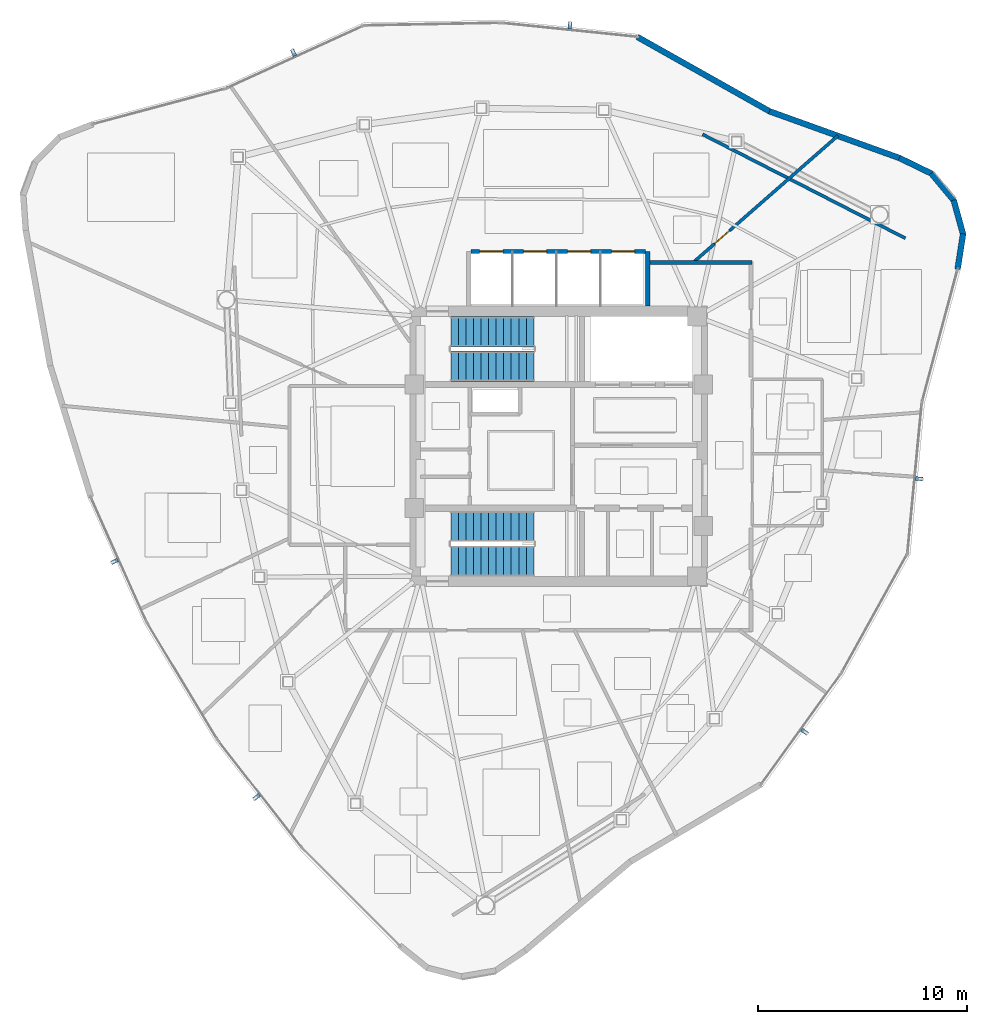
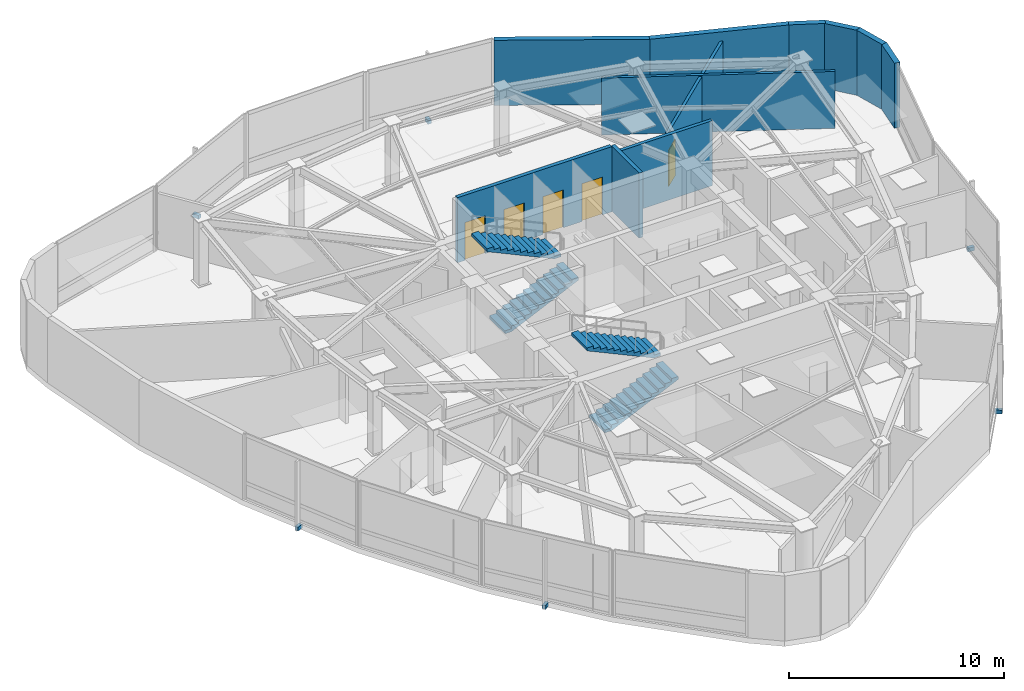
# One storey, part 10 of 12: 11 walls, 6 discrete accessories, 5 doors, 4 stair flights, 5 openings, 2 elements without a shape of their own.
"""IFC4 building model written with IfcOpenShell, lengths in metres."""

from ifc_helpers import new_model, si_unit, direction, frame, frame_2d, origin, origin_2d, place, context, subcontext, project, spatial, polyline, rectangle, outline, extrude, source, transform, mapped, material, layer, layer_set, type_object, type_shapes, element, fill, aggregate, save


model = new_model("IFC4")

# Units and contexts
model_context = context("Model", 3, precision=1e-05, world=origin(), true_north=direction((0.0, 1.0)))
body_context = subcontext(model_context, "Body", "Model", "MODEL_VIEW")
ifc_project = project(units=[si_unit("LENGTHUNIT", "METRE"), si_unit("AREAUNIT", "SQUARE_METRE"), si_unit("VOLUMEUNIT", "CUBIC_METRE"), si_unit("PLANEANGLEUNIT", "RADIAN"), si_unit("MASSUNIT", "GRAM", prefix="KILO")], contexts=[model_context])

# Site, building, storey
site_placement = place(None, origin())
site = spatial("IfcSite", under=ifc_project, at=site_placement, CompositionType="ELEMENT")
building_placement = place(site_placement, origin())
building = spatial("IfcBuilding", under=site, at=building_placement, Name="Tavelor Broadcast Tower", CompositionType="ELEMENT")
storey_placement = place(building_placement, frame((0.0, 0.0, 285.5)))
storey = spatial("IfcBuildingStorey", under=building, at=storey_placement, Name="L68", CompositionType="ELEMENT", Elevation=285.5)

# Walls
ifc_material_1 = material(Name="Calcium Silicate Fire Board 180 mm", Category="gypsum")
ifc_layer_1 = layer(ifc_material_1, 0.179931640625)
ifc_layer_set_1 = layer_set([ifc_layer_1], Name="Calcium Silicate Fire Board 180 mm")
wall_type_1 = type_object("IfcWallType", Name="Fire-Rated Corridor Partition Wall 180 mm", PredefinedType="PARTITIONING", material=ifc_layer_set_1)
wall_1_placement = place(storey_placement, frame((54.300048828125, 53.780029296875, 0.0), z_axis=(0.0, 0.0, 1.0), x_axis=(1.0, 0.0, 0.0)))
element("IfcWall", 1, at=wall_1_placement, inside=storey, type_object=wall_type_1, Name="L68 Corridor Compartment Wall 01", PredefinedType="PARTITIONING", context=body_context, shape_type="SweptSolid", body=[
    extrude(rectangle(XDim=4.929931640625, YDim=0.179931640625, at=frame_2d((2.46484375, 0.0))), origin(), (0.0, 0.0, 1.0), 3.699951171875),
])
ifc_material_2 = material(Name="Precast Concrete C40/50", Category="concrete")
ifc_layer_2 = layer(ifc_material_2, 0.280029296875)
ifc_layer_set_2 = layer_set([ifc_layer_2], Name="Precast Concrete C40/50")
wall_type_2 = type_object("IfcWallType", Name="Insulated Precast Terracotta Facade Wall 280 mm", PredefinedType="STANDARD", material=ifc_layer_set_2)
wall_2_placement = place(storey_placement, frame((69.04150390625, 53.456787109375, 0.0), z_axis=(0.0, 0.0, 1.0), x_axis=(0.153858745584, 0.98809285313, 0.0)))
element("IfcWall", 2, at=wall_2_placement, inside=storey, type_object=wall_type_2, Name="L68 Rounded Corner Structural Cladding Pier 21", PredefinedType="STANDARD", context=body_context, shape_type="SweptSolid", body=[
    extrude(rectangle(XDim=1.71044921875, YDim=0.280029296875, at=frame_2d((0.855224609375, 0.0))), origin(), (0.0, 0.0, 1.0), 3.699951171875),
])
wall_3_placement = place(storey_placement, frame((69.306396484375, 55.11767578125, 0.0), z_axis=(0.0, 0.0, 1.0), x_axis=(-0.266301999357, 0.963889643651, 0.0)))
element("IfcWall", 3, at=wall_3_placement, inside=storey, type_object=wall_type_2, Name="L68 Rounded Corner Structural Cladding Pier 22", PredefinedType="STANDARD", context=body_context, shape_type="SweptSolid", body=[
    extrude(rectangle(XDim=1.69873046875, YDim=0.280029296875, at=frame_2d((0.849365234375, 0.0))), origin(), (0.0, 0.0, 1.0), 3.699951171875),
])
wall_4_placement = place(storey_placement, frame((68.867431640625, 56.729248046875, 0.0), z_axis=(0.0, 0.0, 1.0), x_axis=(-0.639477393752, 0.768809900353, 0.0)))
element("IfcWall", 4, at=wall_4_placement, inside=storey, type_object=wall_type_2, Name="L68 Rounded Corner Structural Cladding Pier 23", PredefinedType="STANDARD", context=body_context, shape_type="SweptSolid", body=[
    extrude(rectangle(XDim=1.698974609375, YDim=0.280029296875, at=frame_2d((0.849609375, 0.0))), origin(), (0.0, 0.0, 1.0), 3.699951171875),
])
wall_5_placement = place(storey_placement, frame((67.80419921875, 58.017333984375, 0.0), z_axis=(0.0, 0.0, 1.0), x_axis=(-0.899168742042, 0.437602071904, 0.0)))
element("IfcWall", 5, at=wall_5_placement, inside=storey, type_object=wall_type_2, Name="L68 Rounded Corner Structural Cladding Pier 24", PredefinedType="STANDARD", context=body_context, shape_type="SweptSolid", body=[
    extrude(rectangle(XDim=1.7216796875, YDim=0.280029296875, at=frame_2d((0.86083984375, 0.0))), origin(), (0.0, 0.0, 1.0), 3.699951171875),
])
wall_6_placement = place(storey_placement, frame((66.28369140625, 58.759033203125, 0.0), z_axis=(0.0, 0.0, 1.0), x_axis=(-0.94102093615, 0.338348337852, 0.0)))
element("IfcWall", 6, at=wall_6_placement, inside=storey, type_object=wall_type_2, Name="L68 Rounded Corner Structural Cladding Pier 25", PredefinedType="STANDARD", context=body_context, shape_type="SweptSolid", body=[
    extrude(rectangle(XDim=6.615966796875, YDim=0.280029296875, at=frame_2d((3.30810546875, 0.0))), origin(), (0.0, 0.0, 1.0), 3.699951171875),
])
wall_7_placement = place(storey_placement, frame((60.085205078125, 60.985107421875, 0.0), z_axis=(0.0, 0.0, 1.0), x_axis=(-0.871645541065, 0.490136767384, 0.0)))
element("IfcWall", 7, at=wall_7_placement, inside=storey, type_object=wall_type_2, Name="L68 Rounded Corner Structural Cladding Pier 26", PredefinedType="STANDARD", context=body_context, shape_type="SweptSolid", body=[
    extrude(rectangle(XDim=7.263916015625, YDim=0.280029296875, at=frame_2d((3.6318359375, 0.0))), origin(), (0.0, 0.0, 1.0), 3.699951171875),
])
ifc_material_3 = material(Name="Gypsum Acoustic Plasterboard 150 mm", Category="gypsum")
ifc_layer_3 = layer(ifc_material_3, 0.14990234375)
ifc_layer_set_3 = layer_set([ifc_layer_3], Name="Gypsum Acoustic Plasterboard 150 mm")
wall_type_3 = type_object("IfcWallType", Name="Interior Acoustic Partition Wall 150 mm", PredefinedType="PARTITIONING", material=ifc_layer_set_3)
wall_8_placement = place(storey_placement, frame((66.542724609375, 54.934326171875, 0.0), z_axis=(0.0, 0.0, 1.0), x_axis=(-0.889966951661, 0.456025026673, 0.0)))
element("IfcWall", 8, at=wall_8_placement, inside=storey, type_object=wall_type_3, Name="L68 Corner Tube Brace Furring Wall 3", PredefinedType="PARTITIONING", context=body_context, shape_type="SweptSolid", body=[
    extrude(rectangle(XDim=10.878662109375, YDim=0.14990234375, at=frame_2d((5.439453125, 0.0))), origin(), (0.0, 0.0, 1.0), 3.235107421875),
])

# Wall, opening, door
wall_9_placement = place(storey_placement, frame((56.421630859375, 53.780029296875, 0.0), z_axis=(0.0, 0.0, 1.0), x_axis=(0.752182981844, 0.658954294184, 0.0)))
wall_9 = element("IfcWall", 9, at=wall_9_placement, inside=storey, type_object=wall_type_3, Name="L68 Radial Compartment Wall 10", PredefinedType="PARTITIONING", context=body_context, shape_type="SweptSolid", body=[
    extrude(rectangle(XDim=9.183837890625, YDim=0.14990234375, at=frame_2d((4.591796875, 0.0))), origin(), (0.0, 0.0, 1.0), 3.175048828125),
])
opening_1_placement = place(wall_9_placement, frame((1.35009765625, 0.0, 0.0)))
opening_1 = element("IfcOpeningElement", 10, at=opening_1_placement, cuts=wall_9, Name="Opening DR18", PredefinedType="OPENING", context=body_context, shape_type="SweptSolid", body=[
    extrude(rectangle(XDim=0.949951171875, YDim=2.050048828125, at=frame_2d((0.47509765625, 1.02490234375))), frame((0.0, 0.0849609375, 0.0), z_axis=(0.0, -1.0, 0.0), x_axis=(1.0, 0.0, 0.0)), (0.0, 0.0, 1.0), 0.169921875),
])
ifc_material_4 = material(Name="Timber Solid Core Hardwood", Category="wood")
door_type_1 = type_object("IfcDoorType", Name="Corridor Rated Compartment Door 950x2050", OperationType="NOTDEFINED", PredefinedType="DOOR", material=ifc_material_4)
door_1_placement = place(opening_1_placement, origin())
door_1 = element("IfcDoor", 11, at=door_1_placement, inside=storey, type_object=door_type_1, Name="L68 Suite Connecting Door 9", OperationType="SINGLE_SWING_LEFT", OverallHeight=2.050048828125, OverallWidth=0.949951171875, PredefinedType="DOOR", context=body_context, shape_type="SweptSolid", body=[
    extrude(rectangle(XDim=0.949951171875, YDim=2.050048828125, at=frame_2d((0.47509765625, 1.02490234375))), frame((0.0, 0.02490234375, 0.0), z_axis=(0.0, -1.0, 0.0), x_axis=(1.0, 0.0, 0.0)), (0.0, 0.0, 1.0), 0.050048828125),
])
fill(opening_1, door_1)

# Wall, openings, doors
ifc_material_5 = material(Name="Concrete Blockwork 200 mm", Category="masonry")
ifc_layer_4 = layer(ifc_material_5, 0.199951171875)
ifc_layer_set_4 = layer_set([ifc_layer_4], Name="Concrete Blockwork 200 mm")
wall_type_4 = type_object("IfcWallType", Name="Lift Hoistway Rated Front Wall 200 mm", PredefinedType="PARTITIONING", material=ifc_layer_set_4)
wall_10_placement = place(storey_placement, frame((45.820068359375, 54.300048828125, 0.0), z_axis=(0.0, 0.0, 1.0), x_axis=(1.0, 0.0, 0.0)))
wall_10 = element("IfcWall", 12, at=wall_10_placement, inside=storey, type_object=wall_type_4, Name="L68 High-Rise Lift Hoistway Front Wall", PredefinedType="PARTITIONING", context=body_context, shape_type="SweptSolid", body=[
    extrude(rectangle(XDim=8.309814453125, YDim=0.199951171875, at=frame_2d((4.15478515625, 0.0))), origin(), (0.0, 0.0, 1.0), 3.699951171875),
])
opening_2_placement = place(wall_10_placement, frame((0.405029296875, 0.0, 0.0)))
opening_2 = element("IfcOpeningElement", 13, at=opening_2_placement, cuts=wall_10, Name="Opening LD01", PredefinedType="OPENING", context=body_context, shape_type="SweptSolid", body=[
    extrude(rectangle(XDim=1.10009765625, YDim=2.14990234375, at=frame_2d((0.550048828125, 1.074951171875))), frame((0.0, 0.10986328125, 0.0), z_axis=(0.0, -1.0, 0.0), x_axis=(1.0, 0.0, 0.0)), (0.0, 0.0, 1.0), 0.219970703125),
])
opening_3_placement = place(wall_10_placement, frame((2.5048828125, 0.0, 0.0)))
opening_3 = element("IfcOpeningElement", 14, at=opening_3_placement, cuts=wall_10, Name="Opening LD01", PredefinedType="OPENING", context=body_context, shape_type="SweptSolid", body=[
    extrude(rectangle(XDim=1.10009765625, YDim=2.14990234375, at=frame_2d((0.550048828125, 1.074951171875))), frame((0.0, 0.10986328125, 0.0), z_axis=(0.0, -1.0, 0.0), x_axis=(1.0, 0.0, 0.0)), (0.0, 0.0, 1.0), 0.219970703125),
])
opening_4_placement = place(wall_10_placement, frame((4.60498046875, 0.0, 0.0)))
opening_4 = element("IfcOpeningElement", 15, at=opening_4_placement, cuts=wall_10, Name="Opening LD01", PredefinedType="OPENING", context=body_context, shape_type="SweptSolid", body=[
    extrude(rectangle(XDim=1.10009765625, YDim=2.14990234375, at=frame_2d((0.550048828125, 1.074951171875))), frame((0.0, 0.10986328125, 0.0), z_axis=(0.0, -1.0, 0.0), x_axis=(1.0, 0.0, 0.0)), (0.0, 0.0, 1.0), 0.219970703125),
])
opening_5_placement = place(wall_10_placement, frame((6.705078125, 0.0, 0.0)))
opening_5 = element("IfcOpeningElement", 16, at=opening_5_placement, cuts=wall_10, Name="Opening LD01", PredefinedType="OPENING", context=body_context, shape_type="SweptSolid", body=[
    extrude(rectangle(XDim=1.10009765625, YDim=2.14990234375, at=frame_2d((0.550048828125, 1.074951171875))), frame((0.0, 0.10986328125, 0.0), z_axis=(0.0, -1.0, 0.0), x_axis=(1.0, 0.0, 0.0)), (0.0, 0.0, 1.0), 0.219970703125),
])
ifc_material_6 = material(Name="Brushed Stainless Steel", Category="steel")
door_type_2 = type_object("IfcDoorType", Name="Passenger Lift Sliding Landing Door 1100x2150", OperationType="NOTDEFINED", PredefinedType="DOOR", material=ifc_material_6)
door_2_placement = place(opening_2_placement, origin())
door_2 = element("IfcDoor", 17, at=door_2_placement, inside=storey, type_object=door_type_2, Name="L68 Lift PLH1 Sliding Landing Door", OperationType="SLIDING_TO_LEFT", OverallHeight=2.14990234375, OverallWidth=1.10009765625, PredefinedType="DOOR", context=body_context, shape_type="SweptSolid", body=[
    extrude(rectangle(XDim=1.10009765625, YDim=2.14990234375, at=frame_2d((0.550048828125, 1.074951171875))), frame((0.0, 0.02490234375, 0.0), z_axis=(0.0, -1.0, 0.0), x_axis=(1.0, 0.0, 0.0)), (0.0, 0.0, 1.0), 0.050048828125),
])
fill(opening_2, door_2)
door_3_placement = place(opening_3_placement, origin())
door_3 = element("IfcDoor", 18, at=door_3_placement, inside=storey, type_object=door_type_2, Name="L68 Lift PLH2 Sliding Landing Door", OperationType="SLIDING_TO_RIGHT", OverallHeight=2.14990234375, OverallWidth=1.10009765625, PredefinedType="DOOR", context=body_context, shape_type="SweptSolid", body=[
    extrude(rectangle(XDim=1.10009765625, YDim=2.14990234375, at=frame_2d((0.550048828125, 1.074951171875))), frame((0.0, 0.02490234375, 0.0), z_axis=(0.0, -1.0, 0.0), x_axis=(1.0, 0.0, 0.0)), (0.0, 0.0, 1.0), 0.050048828125),
])
fill(opening_3, door_3)
door_4_placement = place(opening_4_placement, origin())
door_4 = element("IfcDoor", 19, at=door_4_placement, inside=storey, type_object=door_type_2, Name="L68 Lift PLH3 Sliding Landing Door", OperationType="SLIDING_TO_LEFT", OverallHeight=2.14990234375, OverallWidth=1.10009765625, PredefinedType="DOOR", context=body_context, shape_type="SweptSolid", body=[
    extrude(rectangle(XDim=1.10009765625, YDim=2.14990234375, at=frame_2d((0.550048828125, 1.074951171875))), frame((0.0, 0.02490234375, 0.0), z_axis=(0.0, -1.0, 0.0), x_axis=(1.0, 0.0, 0.0)), (0.0, 0.0, 1.0), 0.050048828125),
])
fill(opening_4, door_4)
door_5_placement = place(opening_5_placement, origin())
door_5 = element("IfcDoor", 20, at=door_5_placement, inside=storey, type_object=door_type_2, Name="L68 Lift PLH4 Sliding Landing Door", OperationType="SLIDING_TO_RIGHT", OverallHeight=2.14990234375, OverallWidth=1.10009765625, PredefinedType="DOOR", context=body_context, shape_type="SweptSolid", body=[
    extrude(rectangle(XDim=1.10009765625, YDim=2.14990234375, at=frame_2d((0.550048828125, 1.074951171875))), frame((0.0, 0.02490234375, 0.0), z_axis=(0.0, -1.0, 0.0), x_axis=(1.0, 0.0, 0.0)), (0.0, 0.0, 1.0), 0.050048828125),
])
fill(opening_5, door_5)

# Wall
ifc_layer_5 = layer(ifc_material_5, 0.199951171875)
ifc_layer_set_5 = layer_set([ifc_layer_5], Name="Concrete Blockwork 200 mm")
wall_type_5 = type_object("IfcWallType", Name="Lift and Riser Shaft Enclosure Wall 200 mm", PredefinedType="PARTITIONING", material=ifc_layer_set_5)
wall_11_placement = place(storey_placement, frame((54.25, 51.699951171875, 0.0), z_axis=(0.0, 0.0, 1.0), x_axis=(0.0, 1.0, 0.0)))
element("IfcWall", 21, at=wall_11_placement, inside=storey, type_object=wall_type_5, Name="L68 High-Rise Lift Shaft East Wall", PredefinedType="PARTITIONING", context=body_context, shape_type="SweptSolid", body=[
    extrude(rectangle(XDim=2.60009765625, YDim=0.199951171875, at=frame_2d((1.300048828125, 0.0))), origin(), (0.0, 0.0, 1.0), 3.699951171875),
])

# Stair, stair flights
ifc_material_7 = material(Name="Concrete C40/50", Category="concrete")
stair_type = type_object("IfcStairType", Name="Reinforced Concrete Protected Dogleg Stair 1450 mm", PredefinedType="HALF_TURN_STAIR", material=ifc_material_7)
stair_1_placement = place(storey_placement, origin())
stair_1 = element("IfcStair", 22, at=stair_1_placement, inside=storey, type_object=stair_type, Name="L68 Protected Core Exit Stair ST1", PredefinedType="HALF_TURN_STAIR")
stair_flight_type = type_object("IfcStairFlightType", Name="Reinforced Concrete Stair Flight 1450 mm", PredefinedType="STRAIGHT", material=ifc_material_7)
stair_flight_1_placement = place(storey_placement, frame((44.85009765625, 48.824951171875, 0.0), z_axis=(0.0, 0.0, 1.0), x_axis=(1.0, 0.0, 0.0)))
stair_flight_1 = element("IfcStairFlight", 23, at=stair_flight_1_placement, type_object=stair_flight_type, Name="ST1 flight 1", NumberOfRisers=12, NumberOfTreads=11, PredefinedType="STRAIGHT", RiserHeight=0.166666667, TreadLength=0.36, context=body_context, shape_type="SweptSolid", body=[
    extrude(outline(polyline([(0.0, 0.0), (0.0, 0.166748046875), (0.360107421875, 0.166748046875), (0.360107421875, 0.333251953125), (0.719970703125, 0.333251953125), (0.719970703125, 0.5), (1.080078125, 0.5), (1.080078125, 0.666748046875), (1.43994140625, 0.666748046875), (1.43994140625, 0.833251953125), (1.800048828125, 0.833251953125), (1.800048828125, 1.0), (2.159912109375, 1.0), (2.159912109375, 1.166748046875), (2.52001953125, 1.166748046875), (2.52001953125, 1.333251953125), (2.8798828125, 1.333251953125), (2.8798828125, 1.5), (3.239990234375, 1.5), (3.239990234375, 1.666748046875), (3.60009765625, 1.666748046875), (3.60009765625, 1.833251953125), (3.9599609375, 1.833251953125), (3.9599609375, 2.0), (3.9599609375, 1.668212890625), (0.356689453125, 0.0), (0.0, 0.0)])), frame((0.0, 0.72509765625, 0.0), z_axis=(0.0, -1.0, 0.0), x_axis=(1.0, 0.0, 0.0)), (0.0, 0.0, 1.0), 1.449951171875),
])
stair_flight_2_placement = place(storey_placement, frame((48.81005859375, 50.47509765625, 2.0), z_axis=(0.0, 0.0, 1.0), x_axis=(-1.0, 0.0, 0.0)))
stair_flight_2 = element("IfcStairFlight", 24, at=stair_flight_2_placement, type_object=stair_flight_type, Name="ST1 flight 2", NumberOfRisers=12, NumberOfTreads=11, PredefinedType="STRAIGHT", RiserHeight=0.166666667, TreadLength=0.36, context=body_context, shape_type="SweptSolid", body=[
    extrude(outline(polyline([(0.0, 0.0), (0.0, 0.166748046875), (0.360107421875, 0.166748046875), (0.360107421875, 0.333251953125), (0.719970703125, 0.333251953125), (0.719970703125, 0.5), (1.080078125, 0.5), (1.080078125, 0.666748046875), (1.43994140625, 0.666748046875), (1.43994140625, 0.833251953125), (1.800048828125, 0.833251953125), (1.800048828125, 1.0), (2.159912109375, 1.0), (2.159912109375, 1.166748046875), (2.52001953125, 1.166748046875), (2.52001953125, 1.333251953125), (2.8798828125, 1.333251953125), (2.8798828125, 1.5), (3.239990234375, 1.5), (3.239990234375, 1.666748046875), (3.60009765625, 1.666748046875), (3.60009765625, 1.833251953125), (3.9599609375, 1.833251953125), (3.9599609375, 2.0), (3.9599609375, 1.668212890625), (0.356689453125, 0.0), (0.0, 0.0)])), frame((0.0, 0.72509765625, 0.0), z_axis=(0.0, -1.0, 0.0), x_axis=(1.0, 0.0, 0.0)), (0.0, 0.0, 1.0), 1.449951171875),
])
aggregate(stair_1, [stair_flight_1, stair_flight_2])

stair_2_placement = place(storey_placement, origin())
stair_2 = element("IfcStair", 25, at=stair_2_placement, inside=storey, type_object=stair_type, Name="L68 Protected Core Exit Stair ST2", PredefinedType="HALF_TURN_STAIR")
stair_flight_3_placement = place(storey_placement, frame((44.85009765625, 39.52490234375, 0.0), z_axis=(0.0, 0.0, 1.0), x_axis=(1.0, 0.0, 0.0)))
stair_flight_3 = element("IfcStairFlight", 26, at=stair_flight_3_placement, type_object=stair_flight_type, Name="ST2 flight 1", NumberOfRisers=12, NumberOfTreads=11, PredefinedType="STRAIGHT", RiserHeight=0.166666667, TreadLength=0.36, context=body_context, shape_type="SweptSolid", body=[
    extrude(outline(polyline([(0.0, 0.0), (0.0, 0.166748046875), (0.360107421875, 0.166748046875), (0.360107421875, 0.333251953125), (0.719970703125, 0.333251953125), (0.719970703125, 0.5), (1.080078125, 0.5), (1.080078125, 0.666748046875), (1.43994140625, 0.666748046875), (1.43994140625, 0.833251953125), (1.800048828125, 0.833251953125), (1.800048828125, 1.0), (2.159912109375, 1.0), (2.159912109375, 1.166748046875), (2.52001953125, 1.166748046875), (2.52001953125, 1.333251953125), (2.8798828125, 1.333251953125), (2.8798828125, 1.5), (3.239990234375, 1.5), (3.239990234375, 1.666748046875), (3.60009765625, 1.666748046875), (3.60009765625, 1.833251953125), (3.9599609375, 1.833251953125), (3.9599609375, 2.0), (3.9599609375, 1.668212890625), (0.356689453125, 0.0), (0.0, 0.0)])), frame((0.0, 0.72509765625, 0.0), z_axis=(0.0, -1.0, 0.0), x_axis=(1.0, 0.0, 0.0)), (0.0, 0.0, 1.0), 1.449951171875),
])
stair_flight_4_placement = place(storey_placement, frame((48.81005859375, 41.175048828125, 2.0), z_axis=(0.0, 0.0, 1.0), x_axis=(-1.0, 0.0, 0.0)))
stair_flight_4 = element("IfcStairFlight", 27, at=stair_flight_4_placement, type_object=stair_flight_type, Name="ST2 flight 2", NumberOfRisers=12, NumberOfTreads=11, PredefinedType="STRAIGHT", RiserHeight=0.166666667, TreadLength=0.36, context=body_context, shape_type="SweptSolid", body=[
    extrude(outline(polyline([(0.0, 0.0), (0.0, 0.166748046875), (0.360107421875, 0.166748046875), (0.360107421875, 0.333251953125), (0.719970703125, 0.333251953125), (0.719970703125, 0.5), (1.080078125, 0.5), (1.080078125, 0.666748046875), (1.43994140625, 0.666748046875), (1.43994140625, 0.833251953125), (1.800048828125, 0.833251953125), (1.800048828125, 1.0), (2.159912109375, 1.0), (2.159912109375, 1.166748046875), (2.52001953125, 1.166748046875), (2.52001953125, 1.333251953125), (2.8798828125, 1.333251953125), (2.8798828125, 1.5), (3.239990234375, 1.5), (3.239990234375, 1.666748046875), (3.60009765625, 1.666748046875), (3.60009765625, 1.833251953125), (3.9599609375, 1.833251953125), (3.9599609375, 2.0), (3.9599609375, 1.668212890625), (0.356689453125, 0.0), (0.0, 0.0)])), frame((0.0, 0.72509765625, 0.0), z_axis=(0.0, -1.0, 0.0), x_axis=(1.0, 0.0, 0.0)), (0.0, 0.0, 1.0), 1.449951171875),
])
aggregate(stair_2, [stair_flight_3, stair_flight_4])

# Discrete accessories
ifc_material_8 = material(Name="Steel S355", Category="steel")
discrete_accessory_type = type_object("IfcDiscreteAccessoryType", Name="Stainless Baguette Outrigger Support Bracket 260x180", PredefinedType="BRACKET", material=ifc_material_8)
shared_shape = source(origin(), body_context, "Body", "SweptSolid", [
    extrude(rectangle(XDim=0.179931640625, YDim=0.340087890625, at=origin_2d()), origin(), (0.0, 0.0, 1.0), 0.216064453125),
])
type_shapes(discrete_accessory_type, [shared_shape])
for number, where, z_axis, x_axis, name in (
    (28, (28.789794921875, 39.505859375, -0.2578125), (0.0, 0.0, 1.0), (0.408649074736, -0.912691587404, 0.0), "L68 Baguette Outrigger Bracket 679"),
    (29, (35.569580078125, 28.255859375, -0.2578125), (0.0, 0.0, 1.0), (0.616073992379, -0.787688286008, 0.0), "L68 Baguette Outrigger Bracket 680"),
    (30, (61.736083984375, 31.37109375, -0.2578125), (0.0, 0.0, 1.0), (0.586089563144, 0.810246273656, 0.0), "L68 Baguette Outrigger Bracket 681"),
    (31, (67.2080078125, 43.452392578125, -0.2578125), (0.0, 0.0, 1.0), (0.094977069084, 0.995479460536, 0.0), "L68 Baguette Outrigger Bracket 682"),
    (32, (50.534912109375, 65.095947265625, -0.2578125), (0.0, 0.0, 1.0), (-0.994756502809, 0.102271697543, 0.0), "L68 Baguette Outrigger Bracket 683"),
    (33, (37.336181640625, 63.7939453125, -0.2578125), (0.0, 0.0, 1.0), (-0.909599036311, -0.415487175664, 0.0), "L68 Baguette Outrigger Bracket 684"),
):
    element("IfcDiscreteAccessory", number, at=place(storey_placement, frame(where, z_axis=z_axis, x_axis=x_axis)), inside=storey, type_object=discrete_accessory_type, Name=name, PredefinedType="BRACKET", context=body_context, shape_type="MappedRepresentation", body=[
        mapped(shared_shape, transform((0.0, 0.0, 0.0), scale=1.0)),
    ])

save(model, "model.ifc")
